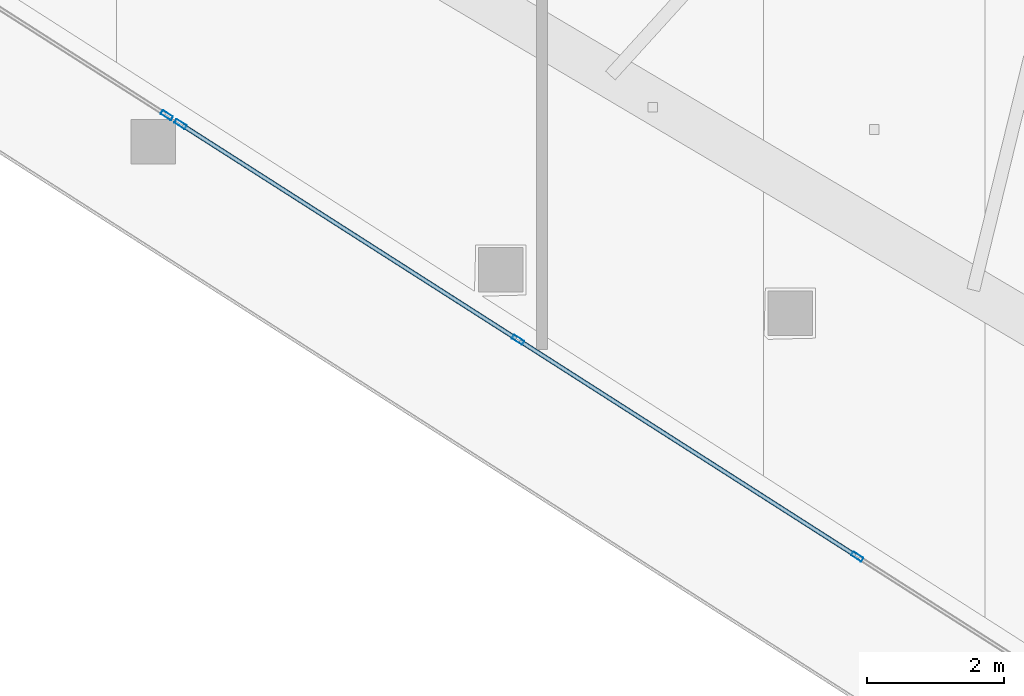
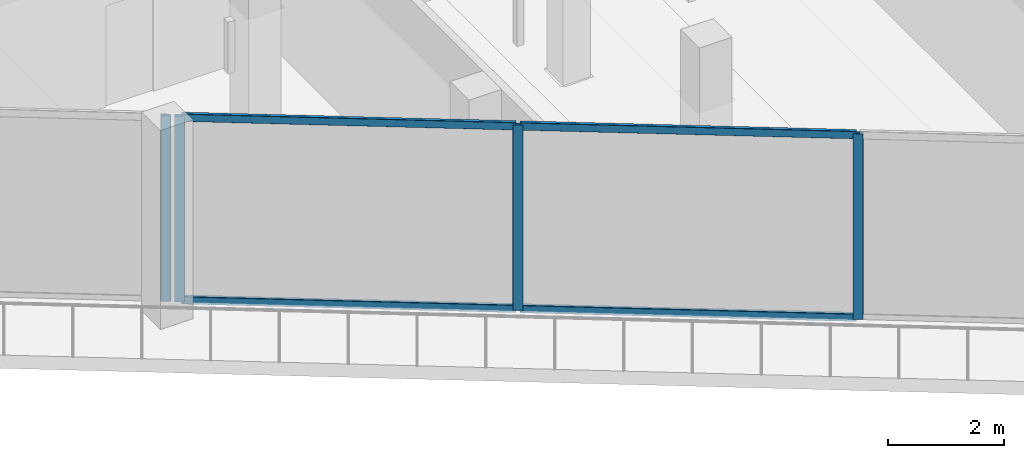
# One storey, part 2 of 44: 8 members, 2 elements without a shape of their own.
"""IFC4 building model written with IfcOpenShell, lengths in metres."""

from ifc_helpers import new_model, si_unit, direction, frame, origin, origin_2d, place, context, subcontext, project, spatial, hollow_rectangle, extrude, material, layer, layer_set, material_profile, profile_set, type_object, element, aggregate, save


model = new_model("IFC4")

# Units and contexts
model_context = context("Model", 3, precision=1e-05, world=origin(), true_north=direction((0.0, 1.0)))
body_context = subcontext(model_context, "Body", "Model", "MODEL_VIEW")
ifc_project = project(units=[si_unit("LENGTHUNIT", "METRE"), si_unit("AREAUNIT", "SQUARE_METRE"), si_unit("VOLUMEUNIT", "CUBIC_METRE"), si_unit("PLANEANGLEUNIT", "RADIAN"), si_unit("MASSUNIT", "GRAM", prefix="KILO")], contexts=[model_context])

# Site, building, storey
site_placement = place(None, origin())
site = spatial("IfcSite", under=ifc_project, at=site_placement, CompositionType="ELEMENT")
building_placement = place(site_placement, origin())
building = spatial("IfcBuilding", under=site, at=building_placement, Name="Qorvath Tower", CompositionType="ELEMENT")
storey_placement = place(building_placement, frame((0.0, 0.0, 70.199951171875)))
storey = spatial("IfcBuildingStorey", under=building, at=storey_placement, Name="L15", CompositionType="ELEMENT", Elevation=70.199951171875)

# Curtain wall, member
ifc_material_1 = material(Name="Anodised aluminium and triple low-E glass", Category="aluminium")
ifc_layer = layer(ifc_material_1, 0.179931640625)
ifc_layer_set = layer_set([ifc_layer], Name="CW-SYS-2")
curtain_wall_type = type_object("IfcCurtainWallType", Name="CW-SYS-2", PredefinedType="NOTDEFINED", material=ifc_layer_set)
curtain_wall_1_placement = place(storey_placement, origin())
curtain_wall_1 = element("IfcCurtainWall", 1, at=curtain_wall_1_placement, inside=storey, type_object=curtain_wall_type, Name="Curtain Wall CW-2 CW-T-L15-2.1", PredefinedType="NOTDEFINED")
ifc_material_2 = material(Name="Anodised aluminium 6063-T6", Category="aluminium")
ifc_material_profile_1 = material_profile(ifc_material_2, hollow_rectangle(XDim=0.06494140625, YDim=0.179931640625, WallThickness=0.00341796875, InnerFilletRadius=0.00341796875, OuterFilletRadius=0.007080078125, at=origin_2d()), Name="CWM 180x65")
ifc_profile_set_1 = profile_set([ifc_material_profile_1], Name="Anodised aluminium 6063-T6")
member_type_1 = type_object("IfcMemberType", Name="CWM-180", PredefinedType="MULLION", material=ifc_profile_set_1)
member_1_placement = place(storey_placement, frame((-40.136962890625, -16.568115234375, 0.0), z_axis=(0.0, 0.0, 1.0), x_axis=(0.538530641183, 0.842605927173, 0.0)))
member_1 = element("IfcMember", 2, at=member_1_placement, type_object=member_type_1, Name="CW-2 mullion 5", PredefinedType="MULLION", context=body_context, shape_type="SweptSolid", body=[
    extrude(hollow_rectangle(XDim=0.06494140625, YDim=0.179931640625, WallThickness=0.00341796875, InnerFilletRadius=0.00341796875, OuterFilletRadius=0.007080078125, at=origin_2d()), origin(), (0.0, 0.0, 1.0), 3.920166015625),
])
aggregate(curtain_wall_1, [member_1])

# Curtain wall, members
curtain_wall_2_placement = place(storey_placement, origin())
curtain_wall_2 = element("IfcCurtainWall", 3, at=curtain_wall_2_placement, inside=storey, type_object=curtain_wall_type, Name="Curtain Wall CW-2 CW-T-L15-2.2", PredefinedType="NOTDEFINED")
member_2_placement = place(storey_placement, frame((-39.93505859375, -16.697509765625, 0.0), z_axis=(0.0, 0.0, 1.0), x_axis=(0.538537072857, 0.842601816494, 0.0)))
member_2 = element("IfcMember", 4, at=member_2_placement, type_object=member_type_1, Name="CW-2 mullion 1", PredefinedType="MULLION", context=body_context, shape_type="SweptSolid", body=[
    extrude(hollow_rectangle(XDim=0.06494140625, YDim=0.179931640625, WallThickness=0.00341796875, InnerFilletRadius=0.00341796875, OuterFilletRadius=0.007080078125, at=origin_2d()), origin(), (0.0, 0.0, 1.0), 3.920166015625),
])
member_3_placement = place(storey_placement, frame((-35.0009765625, -19.85107421875, 0.0), z_axis=(0.0, 0.0, 1.0), x_axis=(0.538537072857, 0.842601816494, 0.0)))
member_3 = element("IfcMember", 5, at=member_3_placement, type_object=member_type_1, Name="CW-2 mullion 2", PredefinedType="MULLION", context=body_context, shape_type="SweptSolid", body=[
    extrude(hollow_rectangle(XDim=0.06494140625, YDim=0.179931640625, WallThickness=0.00341796875, InnerFilletRadius=0.00341796875, OuterFilletRadius=0.007080078125, at=origin_2d()), origin(), (0.0, 0.0, 1.0), 3.920166015625),
])
member_4_placement = place(storey_placement, frame((-30.03955078125, -23.02197265625, 0.0), z_axis=(0.0, 0.0, 1.0), x_axis=(0.538537072857, 0.842601816494, 0.0)))
member_4 = element("IfcMember", 6, at=member_4_placement, type_object=member_type_1, Name="CW-2 mullion 3", PredefinedType="MULLION", context=body_context, shape_type="SweptSolid", body=[
    extrude(hollow_rectangle(XDim=0.06494140625, YDim=0.179931640625, WallThickness=0.00341796875, InnerFilletRadius=0.00341796875, OuterFilletRadius=0.007080078125, at=origin_2d()), origin(), (0.0, 0.0, 1.0), 3.920166015625),
])
ifc_material_3 = material(Name="Anodised aluminium 6063-T6", Category="aluminium")
ifc_material_profile_2 = material_profile(ifc_material_3, hollow_rectangle(XDim=0.06494140625, YDim=0.159912109375, WallThickness=0.00341796875, InnerFilletRadius=0.00341796875, OuterFilletRadius=0.007080078125, at=origin_2d()), Name="CWT 160x65")
ifc_profile_set_2 = profile_set([ifc_material_profile_2], Name="Anodised aluminium 6063-T6")
member_type_2 = type_object("IfcMemberType", Name="CWT-160", PredefinedType="USERDEFINED", material=ifc_profile_set_2)
member_5_placement = place(storey_placement, frame((-39.90771484375, -16.71484375, 0.032470703125), z_axis=(0.842597419402, -0.538543952539, 0.0), x_axis=(0.538543952539, 0.842597419402, 0.0)))
member_5 = element("IfcMember", 7, at=member_5_placement, type_object=member_type_2, Name="CW-2 transom 1.1", ObjectType="TRANSOM", PredefinedType="USERDEFINED", context=body_context, shape_type="SweptSolid", body=[
    extrude(hollow_rectangle(XDim=0.06494140625, YDim=0.159912109375, WallThickness=0.00341796875, InnerFilletRadius=0.00341796875, OuterFilletRadius=0.007080078125, at=origin_2d()), origin(), (0.0, 0.0, 1.0), 5.791015625),
])
member_6_placement = place(storey_placement, frame((-39.90771484375, -16.71484375, 3.8876953125), z_axis=(0.842597419402, -0.538543952539, 0.0), x_axis=(0.538543952539, 0.842597419402, 0.0)))
member_6 = element("IfcMember", 8, at=member_6_placement, type_object=member_type_2, Name="CW-2 transom 1.2", ObjectType="TRANSOM", PredefinedType="USERDEFINED", context=body_context, shape_type="SweptSolid", body=[
    extrude(hollow_rectangle(XDim=0.06494140625, YDim=0.159912109375, WallThickness=0.00341796875, InnerFilletRadius=0.00341796875, OuterFilletRadius=0.007080078125, at=origin_2d()), origin(), (0.0, 0.0, 1.0), 5.791015625),
])
member_7_placement = place(storey_placement, frame((-34.9736328125, -19.868408203125, 0.032470703125), z_axis=(0.842589514966, -0.538556319497, 0.0), x_axis=(0.538556319497, 0.842589514966, 0.0)))
member_7 = element("IfcMember", 9, at=member_7_placement, type_object=member_type_2, Name="CW-2 transom 2.1", ObjectType="TRANSOM", PredefinedType="USERDEFINED", context=body_context, shape_type="SweptSolid", body=[
    extrude(hollow_rectangle(XDim=0.06494140625, YDim=0.159912109375, WallThickness=0.00341796875, InnerFilletRadius=0.00341796875, OuterFilletRadius=0.007080078125, at=origin_2d()), origin(), (0.0, 0.0, 1.0), 5.823486328125),
])
member_8_placement = place(storey_placement, frame((-34.9736328125, -19.868408203125, 3.8876953125), z_axis=(0.842589514966, -0.538556319497, 0.0), x_axis=(0.538556319497, 0.842589514966, 0.0)))
member_8 = element("IfcMember", 10, at=member_8_placement, type_object=member_type_2, Name="CW-2 transom 2.2", ObjectType="TRANSOM", PredefinedType="USERDEFINED", context=body_context, shape_type="SweptSolid", body=[
    extrude(hollow_rectangle(XDim=0.06494140625, YDim=0.159912109375, WallThickness=0.00341796875, InnerFilletRadius=0.00341796875, OuterFilletRadius=0.007080078125, at=origin_2d()), origin(), (0.0, 0.0, 1.0), 5.823486328125),
])
aggregate(curtain_wall_2, [member_2, member_3, member_4, member_5, member_6, member_7, member_8])

save(model, "model.ifc")
